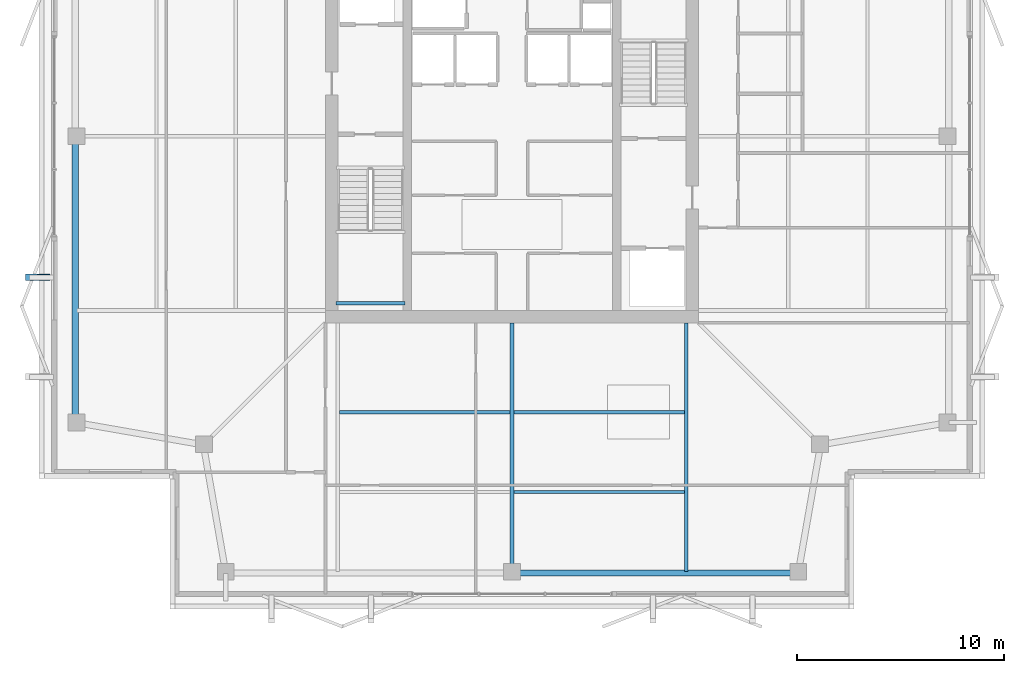
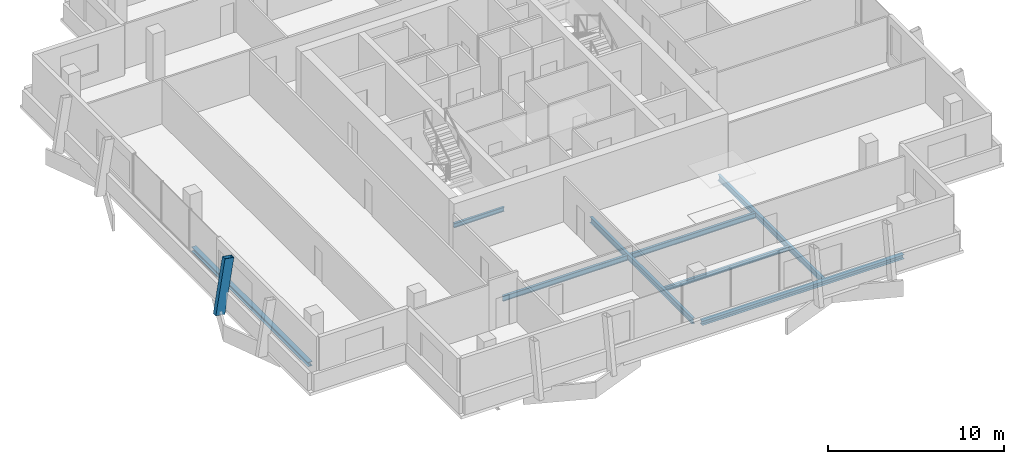
# One storey, part 3 of 17: 8 beams, 1 member.
"""IFC4 building model written with IfcOpenShell, lengths in metres."""

from ifc_helpers import new_model, si_unit, direction, frame, origin, origin_2d, place, context, subcontext, project, spatial, hollow_rectangle, i_section, extrude, material, material_profile, profile_set, type_object, element, save


model = new_model("IFC4")

# Units and contexts
model_context = context("Model", 3, precision=1e-05, world=origin(), true_north=direction((0.0, 1.0)))
body_context = subcontext(model_context, "Body", "Model", "MODEL_VIEW")
ifc_project = project(units=[si_unit("LENGTHUNIT", "METRE"), si_unit("AREAUNIT", "SQUARE_METRE"), si_unit("VOLUMEUNIT", "CUBIC_METRE"), si_unit("PLANEANGLEUNIT", "RADIAN"), si_unit("MASSUNIT", "GRAM", prefix="KILO")], contexts=[model_context])

# Site, building, storey
site_placement = place(None, origin())
site = spatial("IfcSite", under=ifc_project, at=site_placement, CompositionType="ELEMENT")
building_placement = place(site_placement, origin())
building = spatial("IfcBuilding", under=site, at=building_placement, Name="Belovzor Exchange Tower", CompositionType="ELEMENT")
storey_placement = place(building_placement, frame((0.0, 0.0, 333.0)))
storey = spatial("IfcBuildingStorey", under=building, at=storey_placement, Name="L83", CompositionType="ELEMENT", Elevation=333.0)

# Beams
ifc_material_1 = material(Name="Steel S355", Category="steel")
ifc_material_profile_1 = material_profile(ifc_material_1, i_section(OverallWidth=0.169921875, OverallDepth=0.360107421875, WebThickness=0.008056640625, FlangeThickness=0.0126953125, at=origin_2d()))
ifc_profile_set_1 = profile_set([ifc_material_profile_1], Name="Steel S355")
beam_type_1 = type_object("IfcBeamType", Name="Secondary Infill Floor Joist IPE 360", PredefinedType="BEAM", material=ifc_profile_set_1)
beam_1_placement = place(storey_placement, frame((20.489990234375, 15.485107421875, -0.419921875), z_axis=(1.0, 0.0, 0.0), x_axis=(0.0, 1.0, 0.0)))
element("IfcBeam", 1, at=beam_1_placement, inside=storey, type_object=beam_type_1, Name="FJ-360 Secondary Infill Floor Joist IPE 360", PredefinedType="BEAM", context=body_context, shape_type="SweptSolid", body=[
    extrude(i_section(OverallWidth=0.169921875, OverallDepth=0.360107421875, WebThickness=0.008056640625, FlangeThickness=0.0126953125, at=origin_2d()), origin(), (0.0, 0.0, 1.0), 8.219970703125),
])
beam_2_placement = place(storey_placement, frame((28.889892578125, 15.485107421875, -0.419921875), z_axis=(1.0, 0.0, 0.0), x_axis=(0.0, 1.0, 0.0)))
element("IfcBeam", 2, at=beam_2_placement, inside=storey, type_object=beam_type_1, Name="FJ-360 Secondary Infill Floor Joist IPE 360", PredefinedType="BEAM", context=body_context, shape_type="SweptSolid", body=[
    extrude(i_section(OverallWidth=0.169921875, OverallDepth=0.360107421875, WebThickness=0.008056640625, FlangeThickness=0.0126953125, at=origin_2d()), origin(), (0.0, 0.0, 1.0), 8.22021484375),
])
ifc_material_2 = material(Name="Steel S355", Category="steel")
ifc_material_profile_2 = material_profile(ifc_material_2, i_section(OverallWidth=0.14990234375, OverallDepth=0.300048828125, WebThickness=0.007080078125, FlangeThickness=0.0107421875, at=origin_2d()))
ifc_profile_set_2 = profile_set([ifc_material_profile_2], Name="Steel S355")
beam_type_2 = type_object("IfcBeamType", Name="Secondary Trim Floor Joist IPE 300", PredefinedType="BEAM", material=ifc_profile_set_2)
beam_3_placement = place(storey_placement, frame((20.320068359375, 20.75, 1.52490234375), z_axis=(1.0, 0.0, 0.0), x_axis=(0.0, 1.0, 0.0)))
element("IfcBeam", 3, at=beam_3_placement, inside=storey, type_object=beam_type_2, Name="FJ-300 Secondary Trim Floor Joist IPE 300", PredefinedType="BEAM", context=body_context, shape_type="SweptSolid", body=[
    extrude(i_section(OverallWidth=0.14990234375, OverallDepth=0.300048828125, WebThickness=0.007080078125, FlangeThickness=0.0107421875, at=origin_2d()), origin(), (0.0, 0.0, 1.0), 3.309814453125),
])
beam_4_placement = place(storey_placement, frame((28.889892578125, 11.64892578125, -0.389892578125), z_axis=(1.0, 0.0, 0.0), x_axis=(0.0, 1.0, 0.0)))
element("IfcBeam", 4, at=beam_4_placement, inside=storey, type_object=beam_type_2, Name="FJ-300 Secondary Trim Floor Joist IPE 300", PredefinedType="BEAM", context=body_context, shape_type="SweptSolid", body=[
    extrude(i_section(OverallWidth=0.14990234375, OverallDepth=0.300048828125, WebThickness=0.007080078125, FlangeThickness=0.0107421875, at=origin_2d()), origin(), (0.0, 0.0, 1.0), 8.22021484375),
])

# Member
ifc_material_3 = material(Name="Extruded Architectural Terracotta on Steel S355 Carrier", Category="masonry")
ifc_material_profile_3 = material_profile(ifc_material_3, hollow_rectangle(XDim=0.300048828125, YDim=0.60009765625, WallThickness=0.01611328125, at=origin_2d()))
ifc_profile_set_3 = profile_set([ifc_material_profile_3], Name="Extruded Architectural Terracotta on Steel S355 Carrier")
member_type = type_object("IfcMemberType", Name="Upper Crown Terracotta Fin Assembly 550", PredefinedType="USERDEFINED", material=ifc_profile_set_3)
member_placement = place(storey_placement, frame((5.625, 22.0, -0.239990234375), z_axis=(0.158015573692, 0.0, 0.987436619977), x_axis=(0.0, 1.0, 0.0)))
element("IfcMember", 5, at=member_placement, inside=storey, type_object=member_type, Name="FIN-TC055 Terracotta Facade Fin L83 W2", ObjectType="FIN", PredefinedType="USERDEFINED", context=body_context, shape_type="SweptSolid", body=[
    extrude(hollow_rectangle(XDim=0.300048828125, YDim=0.60009765625, WallThickness=0.01611328125, at=origin_2d()), origin(), (0.0, 0.0, 1.0), 3.797607421875),
])

# Beams
ifc_material_4 = material(Name="Steel S355", Category="steel")
ifc_material_profile_4 = material_profile(ifc_material_4, i_section(OverallWidth=0.179931640625, OverallDepth=0.39990234375, WebThickness=0.008544921875, FlangeThickness=0.013427734375, at=origin_2d()))
ifc_profile_set_4 = profile_set([ifc_material_profile_4], Name="Steel S355")
beam_type_3 = type_object("IfcBeamType", Name="Zone 5-6 Radial Composite Floor Beam IPE 400", PredefinedType="BEAM", material=ifc_profile_set_4)
beam_5_placement = place(storey_placement, frame((28.800048828125, 19.800048828125, -0.43994140625), z_axis=(0.0, -1.0, 0.0), x_axis=(1.0, 0.0, 0.0)))
element("IfcBeam", 6, at=beam_5_placement, inside=storey, type_object=beam_type_3, Name="FB-400 Zone 5-6 Radial Composite Floor Beam IPE 400", PredefinedType="BEAM", context=body_context, shape_type="SweptSolid", body=[
    extrude(i_section(OverallWidth=0.179931640625, OverallDepth=0.39990234375, WebThickness=0.008544921875, FlangeThickness=0.013427734375, at=origin_2d()), origin(), (0.0, 0.0, 1.0), 11.652099609375),
])
beam_6_placement = place(storey_placement, frame((37.199951171875, 19.800048828125, -0.43994140625), z_axis=(0.0, -1.0, 0.0), x_axis=(1.0, 0.0, 0.0)))
element("IfcBeam", 7, at=beam_6_placement, inside=storey, type_object=beam_type_3, Name="FB-400 Zone 5-6 Radial Composite Floor Beam IPE 400", PredefinedType="BEAM", context=body_context, shape_type="SweptSolid", body=[
    extrude(i_section(OverallWidth=0.179931640625, OverallDepth=0.39990234375, WebThickness=0.008544921875, FlangeThickness=0.013427734375, at=origin_2d()), origin(), (0.0, 0.0, 1.0), 11.987060546875),
])
ifc_material_5 = material(Name="Steel S355", Category="steel")
ifc_material_profile_5 = material_profile(ifc_material_5, i_section(OverallWidth=0.300048828125, OverallDepth=0.300048828125, WebThickness=0.008544921875, FlangeThickness=0.013916015625, at=origin_2d()))
ifc_profile_set_5 = profile_set([ifc_material_profile_5], Name="Steel S355")
beam_type_4 = type_object("IfcBeamType", Name="Zone 6 Primary Girder HEA 300", PredefinedType="BEAM", material=ifc_profile_set_5)
for number, where, z_axis, x_axis, name in (
    (8, (29.06103515625, 7.738037109375, -0.389892578125), (1.0, 0.0, 0.0), (0.0, 1.0, 0.0), "FG-Z6 Zone 6 Primary Girder HEA 300"),
    (9, (7.738037109375, 28.5390625, -0.389892578125), (0.0, -1.0, 0.0), (1.0, 0.0, 0.0), "FG-Z6 Zone 6 Primary Girder HEA 300"),
):
    element("IfcBeam", number, at=place(storey_placement, frame(where, z_axis=z_axis, x_axis=x_axis)), inside=storey, type_object=beam_type_4, Name=name, PredefinedType="BEAM", context=body_context, shape_type="SweptSolid", body=[
        extrude(i_section(OverallWidth=0.300048828125, OverallDepth=0.300048828125, WebThickness=0.008544921875, FlangeThickness=0.013916015625, at=origin_2d()), origin(), (0.0, 0.0, 1.0), 13.278076171875),
    ])

save(model, "model.ifc")
